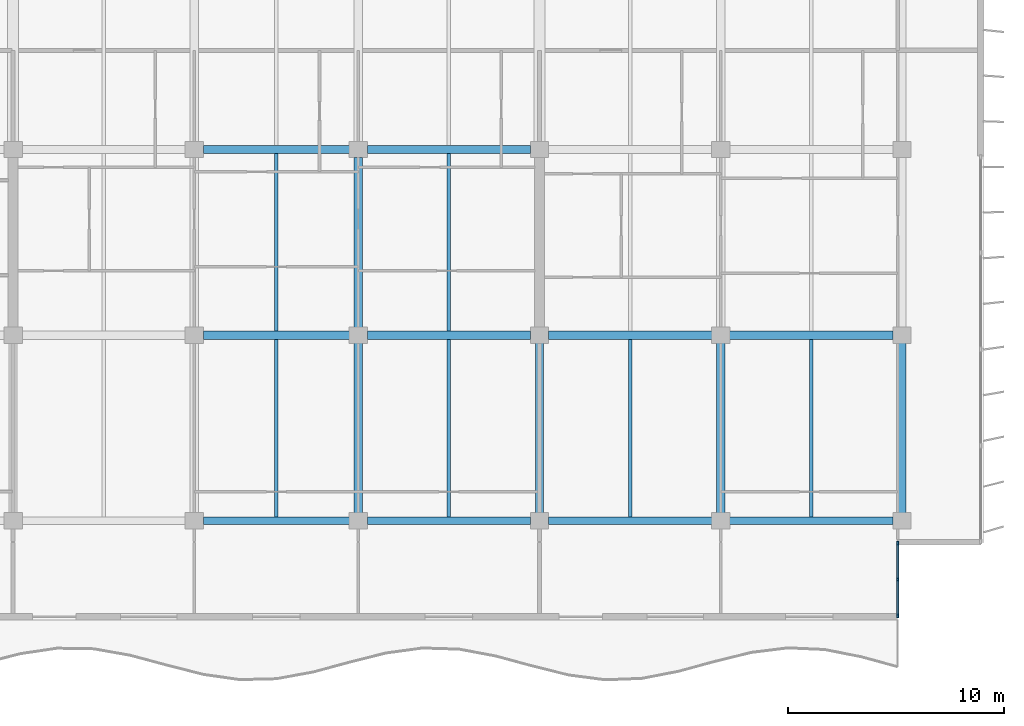
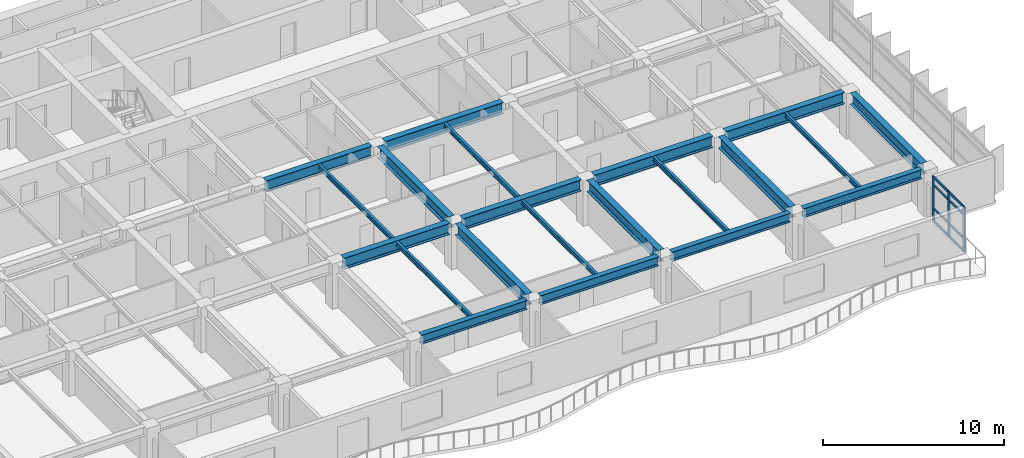
# One storey, part 3 of 16: 21 beams, 11 members, 1 element without a shape of its own.
"""IFC4 building model written with IfcOpenShell, lengths in metres."""

from ifc_helpers import new_model, si_unit, direction, frame, origin, origin_2d, place, context, subcontext, project, spatial, rectangle, i_section, extrude, material, layer, layer_set, material_profile, profile_set, type_object, element, aggregate, save


model = new_model("IFC4")

# Units and contexts
model_context = context("Model", 3, precision=1e-05, world=origin(), true_north=direction((0.0, 1.0)))
body_context = subcontext(model_context, "Body", "Model", "MODEL_VIEW")
ifc_project = project(units=[si_unit("LENGTHUNIT", "METRE"), si_unit("AREAUNIT", "SQUARE_METRE"), si_unit("VOLUMEUNIT", "CUBIC_METRE"), si_unit("PLANEANGLEUNIT", "RADIAN"), si_unit("MASSUNIT", "GRAM", prefix="KILO")], contexts=[model_context])

# Site, building, storey
site_placement = place(None, origin())
site = spatial("IfcSite", under=ifc_project, at=site_placement, CompositionType="ELEMENT")
building_placement = place(site_placement, origin())
building = spatial("IfcBuilding", under=site, at=building_placement, Name="Caelmar Bay Residences", CompositionType="ELEMENT")
storey_placement = place(building_placement, frame((0.0, 0.0, 211.5)))
storey = spatial("IfcBuildingStorey", under=building, at=storey_placement, Name="L59", CompositionType="ELEMENT", Elevation=211.5)

# Beams
ifc_material_1 = material(Name="Steel ASTM A992 Grade 50", Category="steel")
ifc_material_profile_1 = material_profile(ifc_material_1, i_section(OverallWidth=0.381103515625, OverallDepth=0.77197265625, WebThickness=0.0166015625, FlangeThickness=0.027099609375, FilletRadius=0.0166015625, at=origin_2d()), Name="W30X173")
ifc_profile_set_1 = profile_set([ifc_material_profile_1], Name="Steel ASTM A992 Grade 50")
beam_type_1 = type_object("IfcBeamType", Name="BM-GRD-W30X173", PredefinedType="BEAM", material=ifc_profile_set_1)
beam_1_placement = place(storey_placement, frame((35.514892578125, 20.800048828125, 2.6640625), z_axis=(1.0, 0.0, 0.0), x_axis=(0.0, 1.0, 0.0)))
element("IfcBeam", 1, at=beam_1_placement, inside=storey, type_object=beam_type_1, Name="L59 East-West Girder Y=20.80 (35.1-42.7)", PredefinedType="BEAM", context=body_context, shape_type="SweptSolid", body=[
    extrude(i_section(OverallWidth=0.381103515625, OverallDepth=0.77197265625, WebThickness=0.0166015625, FlangeThickness=0.027099609375, FilletRadius=0.0166015625, at=origin_2d()), origin(), (0.0, 0.0, 1.0), 6.77001953125),
])
for number, where, z_axis, x_axis, name in (
    (2, (43.114990234375, 20.800048828125, 2.6640625), (1.0, 0.0, 0.0), (0.0, 1.0, 0.0), "L59 East-West Girder Y=20.80 (42.7-51.1)"),
    (3, (51.514892578125, 20.800048828125, 2.6640625), (1.0, 0.0, 0.0), (0.0, 1.0, 0.0), "L59 East-West Girder Y=20.80 (51.1-59.5)"),
    (4, (59.9150390625, 20.800048828125, 2.6640625), (1.0, 0.0, 0.0), (0.0, 1.0, 0.0), "L59 East-West Girder Y=20.80 (59.5-67.9)"),
):
    element("IfcBeam", number, at=place(storey_placement, frame(where, z_axis=z_axis, x_axis=x_axis)), inside=storey, type_object=beam_type_1, Name=name, PredefinedType="BEAM", context=body_context, shape_type="SweptSolid", body=[
        extrude(i_section(OverallWidth=0.381103515625, OverallDepth=0.77197265625, WebThickness=0.0166015625, FlangeThickness=0.027099609375, FilletRadius=0.0166015625, at=origin_2d()), origin(), (0.0, 0.0, 1.0), 7.570068359375),
    ])
beam_2_placement = place(storey_placement, frame((35.514892578125, 29.39990234375, 2.6640625), z_axis=(1.0, 0.0, 0.0), x_axis=(0.0, 1.0, 0.0)))
element("IfcBeam", 5, at=beam_2_placement, inside=storey, type_object=beam_type_1, Name="L59 East-West Girder Y=29.40 (35.1-42.7)", PredefinedType="BEAM", context=body_context, shape_type="SweptSolid", body=[
    extrude(i_section(OverallWidth=0.381103515625, OverallDepth=0.77197265625, WebThickness=0.0166015625, FlangeThickness=0.027099609375, FilletRadius=0.0166015625, at=origin_2d()), origin(), (0.0, 0.0, 1.0), 6.77001953125),
])
beam_3_placement = place(storey_placement, frame((43.114990234375, 29.39990234375, 2.6640625), z_axis=(1.0, 0.0, 0.0), x_axis=(0.0, 1.0, 0.0)))
element("IfcBeam", 6, at=beam_3_placement, inside=storey, type_object=beam_type_1, Name="L59 East-West Girder Y=29.40 (42.7-51.1)", PredefinedType="BEAM", context=body_context, shape_type="SweptSolid", body=[
    extrude(i_section(OverallWidth=0.381103515625, OverallDepth=0.77197265625, WebThickness=0.0166015625, FlangeThickness=0.027099609375, FilletRadius=0.0166015625, at=origin_2d()), origin(), (0.0, 0.0, 1.0), 7.570068359375),
])
beam_4_placement = place(storey_placement, frame((42.699951171875, 12.56494140625, 2.6640625), z_axis=(0.0, 1.0, 0.0), x_axis=(-1.0, 0.0, 0.0)))
element("IfcBeam", 7, at=beam_4_placement, inside=storey, type_object=beam_type_1, Name="L59 North-South Girder X=42.70 (12.2-20.8)", PredefinedType="BEAM", context=body_context, shape_type="SweptSolid", body=[
    extrude(i_section(OverallWidth=0.381103515625, OverallDepth=0.77197265625, WebThickness=0.0166015625, FlangeThickness=0.027099609375, FilletRadius=0.0166015625, at=origin_2d()), origin(), (0.0, 0.0, 1.0), 7.8701171875),
])
beam_5_placement = place(storey_placement, frame((42.699951171875, 21.1650390625, 2.6640625), z_axis=(0.0, 1.0, 0.0), x_axis=(-1.0, 0.0, 0.0)))
element("IfcBeam", 8, at=beam_5_placement, inside=storey, type_object=beam_type_1, Name="L59 North-South Girder X=42.70 (20.8-29.4)", PredefinedType="BEAM", context=body_context, shape_type="SweptSolid", body=[
    extrude(i_section(OverallWidth=0.381103515625, OverallDepth=0.77197265625, WebThickness=0.0166015625, FlangeThickness=0.027099609375, FilletRadius=0.0166015625, at=origin_2d()), origin(), (0.0, 0.0, 1.0), 7.869873046875),
])
for number, where, z_axis, x_axis, name in (
    (9, (51.10009765625, 12.56494140625, 2.6640625), (0.0, 1.0, 0.0), (-1.0, 0.0, 0.0), "L59 North-South Girder X=51.10 (12.2-20.8)"),
    (10, (59.5, 12.56494140625, 2.6640625), (0.0, 1.0, 0.0), (-1.0, 0.0, 0.0), "L59 North-South Girder X=59.50 (12.2-20.8)"),
    (11, (67.89990234375, 12.56494140625, 2.6640625), (0.0, 1.0, 0.0), (-1.0, 0.0, 0.0), "L59 North-South Girder X=67.90 (12.2-20.8)"),
):
    element("IfcBeam", number, at=place(storey_placement, frame(where, z_axis=z_axis, x_axis=x_axis)), inside=storey, type_object=beam_type_1, Name=name, PredefinedType="BEAM", context=body_context, shape_type="SweptSolid", body=[
        extrude(i_section(OverallWidth=0.381103515625, OverallDepth=0.77197265625, WebThickness=0.0166015625, FlangeThickness=0.027099609375, FilletRadius=0.0166015625, at=origin_2d()), origin(), (0.0, 0.0, 1.0), 7.8701171875),
    ])
ifc_material_profile_2 = material_profile(ifc_material_1, i_section(OverallWidth=0.1650390625, OverallDepth=0.31005859375, WebThickness=0.005859375, FlangeThickness=0.009765625, FilletRadius=0.007568359375, at=origin_2d()), Name="W12X26")
ifc_profile_set_2 = profile_set([ifc_material_profile_2], Name="Steel ASTM A992 Grade 50")
beam_type_2 = type_object("IfcBeamType", Name="BM-JST-W12X26", PredefinedType="JOIST", material=ifc_profile_set_2)
for number, where, z_axis, x_axis, name in (
    (12, (38.89990234375, 12.362548828125, 2.89501953125), (0.0, 1.0, 0.0), (-1.0, 0.0, 0.0), "L59 Composite Floor Joist 4"),
    (13, (46.89990234375, 12.362548828125, 2.89501953125), (0.0, 1.0, 0.0), (-1.0, 0.0, 0.0), "L59 Composite Floor Joist 5"),
    (14, (55.300048828125, 12.362548828125, 2.89501953125), (0.0, 1.0, 0.0), (-1.0, 0.0, 0.0), "L59 Composite Floor Joist 6"),
    (15, (63.699951171875, 12.362548828125, 2.89501953125), (0.0, 1.0, 0.0), (-1.0, 0.0, 0.0), "L59 Composite Floor Joist 7"),
):
    element("IfcBeam", number, at=place(storey_placement, frame(where, z_axis=z_axis, x_axis=x_axis)), inside=storey, type_object=beam_type_2, Name=name, PredefinedType="JOIST", context=body_context, shape_type="SweptSolid", body=[
        extrude(i_section(OverallWidth=0.1650390625, OverallDepth=0.31005859375, WebThickness=0.005859375, FlangeThickness=0.009765625, FilletRadius=0.007568359375, at=origin_2d()), origin(), (0.0, 0.0, 1.0), 8.2470703125),
    ])
for number, where, z_axis, x_axis, name in (
    (16, (38.89990234375, 20.990478515625, 2.89501953125), (0.0, 1.0, 0.0), (-1.0, 0.0, 0.0), "L59 Composite Floor Joist 11"),
    (17, (46.89990234375, 20.990478515625, 2.89501953125), (0.0, 1.0, 0.0), (-1.0, 0.0, 0.0), "L59 Composite Floor Joist 12"),
):
    element("IfcBeam", number, at=place(storey_placement, frame(where, z_axis=z_axis, x_axis=x_axis)), inside=storey, type_object=beam_type_2, Name=name, PredefinedType="JOIST", context=body_context, shape_type="SweptSolid", body=[
        extrude(i_section(OverallWidth=0.1650390625, OverallDepth=0.31005859375, WebThickness=0.005859375, FlangeThickness=0.009765625, FilletRadius=0.007568359375, at=origin_2d()), origin(), (0.0, 0.0, 1.0), 8.218994140625),
    ])
ifc_material_profile_3 = material_profile(ifc_material_1, i_section(OverallWidth=0.324951171875, OverallDepth=0.616943359375, WebThickness=0.013916015625, FlangeThickness=0.021484375, FilletRadius=0.0126953125, at=origin_2d()), Name="W24X117")
ifc_profile_set_3 = profile_set([ifc_material_profile_3], Name="Steel ASTM A992 Grade 50")
beam_type_3 = type_object("IfcBeamType", Name="BM-SPN-W24X117", PredefinedType="SPANDREL", material=ifc_profile_set_3)
beam_6_placement = place(storey_placement, frame((35.514892578125, 12.199951171875, 2.741455078125), z_axis=(1.0, 0.0, 0.0), x_axis=(0.0, 1.0, 0.0)))
element("IfcBeam", 18, at=beam_6_placement, inside=storey, type_object=beam_type_3, Name="L59 East-West Girder Y=12.20 (35.1-42.7)", PredefinedType="SPANDREL", context=body_context, shape_type="SweptSolid", body=[
    extrude(i_section(OverallWidth=0.324951171875, OverallDepth=0.616943359375, WebThickness=0.013916015625, FlangeThickness=0.021484375, FilletRadius=0.0126953125, at=origin_2d()), origin(), (0.0, 0.0, 1.0), 6.77001953125),
])
for number, where, z_axis, x_axis, name in (
    (19, (43.114990234375, 12.199951171875, 2.741455078125), (1.0, 0.0, 0.0), (0.0, 1.0, 0.0), "L59 East-West Girder Y=12.20 (42.7-51.1)"),
    (20, (51.514892578125, 12.199951171875, 2.741455078125), (1.0, 0.0, 0.0), (0.0, 1.0, 0.0), "L59 East-West Girder Y=12.20 (51.1-59.5)"),
    (21, (59.9150390625, 12.199951171875, 2.741455078125), (1.0, 0.0, 0.0), (0.0, 1.0, 0.0), "L59 East-West Girder Y=12.20 (59.5-67.9)"),
):
    element("IfcBeam", number, at=place(storey_placement, frame(where, z_axis=z_axis, x_axis=x_axis)), inside=storey, type_object=beam_type_3, Name=name, PredefinedType="SPANDREL", context=body_context, shape_type="SweptSolid", body=[
        extrude(i_section(OverallWidth=0.324951171875, OverallDepth=0.616943359375, WebThickness=0.013916015625, FlangeThickness=0.021484375, FilletRadius=0.0126953125, at=origin_2d()), origin(), (0.0, 0.0, 1.0), 7.570068359375),
    ])

# Curtain wall, members
ifc_material_2 = material(Name="Anodised bronze aluminium 6063-T6 and laminated glass", Category="aluminium")
ifc_layer = layer(ifc_material_2, 0.179931640625)
ifc_layer_set = layer_set([ifc_layer], Name="Anodised bronze aluminium 6063-T6 and laminated glass")
curtain_wall_type = type_object("IfcCurtainWallType", Name="CW6-NTC", PredefinedType="NOTDEFINED", material=ifc_layer_set)
curtain_wall_placement = place(storey_placement, origin())
curtain_wall = element("IfcCurtainWall", 22, at=curtain_wall_placement, inside=storey, type_object=curtain_wall_type, Name="CW6 curtain wall L59", PredefinedType="NOTDEFINED")
ifc_material_3 = material(Name="Anodised bronze aluminium 6063-T6", Category="aluminium")
ifc_material_profile_4 = material_profile(ifc_material_3, rectangle(XDim=0.080078125, YDim=0.179931640625, at=origin_2d()), Name="CWM-80X180")
ifc_profile_set_4 = profile_set([ifc_material_profile_4], Name="Anodised bronze aluminium 6063-T6")
member_type_1 = type_object("IfcMemberType", Name="CWM-180", PredefinedType="MULLION", material=ifc_profile_set_4)
member_1_placement = place(storey_placement, frame((67.699951171875, 7.7900390625, 0.0), z_axis=(0.0, 0.0, 1.0), x_axis=(-1.0, 0.0, 0.0)))
member_1 = element("IfcMember", 23, at=member_1_placement, type_object=member_type_1, Name="CW6 mullion 1", PredefinedType="MULLION", context=body_context, shape_type="SweptSolid", body=[
    extrude(rectangle(XDim=0.080078125, YDim=0.179931640625, at=origin_2d()), origin(), (0.0, 0.0, 1.0), 3.050048828125),
])
member_2_placement = place(storey_placement, frame((67.699951171875, 9.47509765625, 0.0), z_axis=(0.0, 0.0, 1.0), x_axis=(-1.0, 0.0, 0.0)))
member_2 = element("IfcMember", 24, at=member_2_placement, type_object=member_type_1, Name="CW6 mullion 2", PredefinedType="MULLION", context=body_context, shape_type="SweptSolid", body=[
    extrude(rectangle(XDim=0.080078125, YDim=0.179931640625, at=origin_2d()), origin(), (0.0, 0.0, 1.0), 3.050048828125),
])
member_3_placement = place(storey_placement, frame((67.699951171875, 11.159912109375, 0.0), z_axis=(0.0, 0.0, 1.0), x_axis=(-1.0, 0.0, 0.0)))
member_3 = element("IfcMember", 25, at=member_3_placement, type_object=member_type_1, Name="CW6 mullion 3", PredefinedType="MULLION", context=body_context, shape_type="SweptSolid", body=[
    extrude(rectangle(XDim=0.080078125, YDim=0.179931640625, at=origin_2d()), origin(), (0.0, 0.0, 1.0), 3.050048828125),
])
ifc_material_profile_5 = material_profile(ifc_material_3, rectangle(XDim=0.080078125, YDim=0.139892578125, at=origin_2d()), Name="CWT-80X140")
ifc_profile_set_5 = profile_set([ifc_material_profile_5], Name="Anodised bronze aluminium 6063-T6")
member_type_2 = type_object("IfcMemberType", Name="CWT-140", PredefinedType="NOTDEFINED", material=ifc_profile_set_5)
member_4_placement = place(storey_placement, frame((67.699951171875, 7.830078125, 0.0400390625), z_axis=(0.0, 1.0, 0.0), x_axis=(-1.0, 0.0, 0.0)))
member_4 = element("IfcMember", 26, at=member_4_placement, type_object=member_type_2, Name="CW6 transom 1.1", ObjectType="TRANSOM", PredefinedType="USERDEFINED", context=body_context, shape_type="SweptSolid", body=[
    extrude(rectangle(XDim=0.080078125, YDim=0.139892578125, at=origin_2d()), origin(), (0.0, 0.0, 1.0), 1.60498046875),
])
member_5_placement = place(storey_placement, frame((67.699951171875, 7.830078125, 0.89990234375), z_axis=(0.0, 1.0, 0.0), x_axis=(-1.0, 0.0, 0.0)))
member_5 = element("IfcMember", 27, at=member_5_placement, type_object=member_type_2, Name="CW6 transom 1.2", ObjectType="TRANSOM", PredefinedType="USERDEFINED", context=body_context, shape_type="SweptSolid", body=[
    extrude(rectangle(XDim=0.080078125, YDim=0.139892578125, at=origin_2d()), origin(), (0.0, 0.0, 1.0), 1.60498046875),
])
member_6_placement = place(storey_placement, frame((67.699951171875, 7.830078125, 2.5), z_axis=(0.0, 1.0, 0.0), x_axis=(-1.0, 0.0, 0.0)))
member_6 = element("IfcMember", 28, at=member_6_placement, type_object=member_type_2, Name="CW6 transom 1.3", ObjectType="TRANSOM", PredefinedType="USERDEFINED", context=body_context, shape_type="SweptSolid", body=[
    extrude(rectangle(XDim=0.080078125, YDim=0.139892578125, at=origin_2d()), origin(), (0.0, 0.0, 1.0), 1.60498046875),
])
member_7_placement = place(storey_placement, frame((67.699951171875, 7.830078125, 3.010009765625), z_axis=(0.0, 1.0, 0.0), x_axis=(-1.0, 0.0, 0.0)))
member_7 = element("IfcMember", 29, at=member_7_placement, type_object=member_type_2, Name="CW6 transom 1.4", ObjectType="TRANSOM", PredefinedType="USERDEFINED", context=body_context, shape_type="SweptSolid", body=[
    extrude(rectangle(XDim=0.080078125, YDim=0.139892578125, at=origin_2d()), origin(), (0.0, 0.0, 1.0), 1.60498046875),
])
member_8_placement = place(storey_placement, frame((67.699951171875, 9.514892578125, 0.0400390625), z_axis=(0.0, 1.0, 0.0), x_axis=(-1.0, 0.0, 0.0)))
member_8 = element("IfcMember", 30, at=member_8_placement, type_object=member_type_2, Name="CW6 transom 2.1", ObjectType="TRANSOM", PredefinedType="USERDEFINED", context=body_context, shape_type="SweptSolid", body=[
    extrude(rectangle(XDim=0.080078125, YDim=0.139892578125, at=origin_2d()), origin(), (0.0, 0.0, 1.0), 1.605224609375),
])
member_9_placement = place(storey_placement, frame((67.699951171875, 9.514892578125, 0.89990234375), z_axis=(0.0, 1.0, 0.0), x_axis=(-1.0, 0.0, 0.0)))
member_9 = element("IfcMember", 31, at=member_9_placement, type_object=member_type_2, Name="CW6 transom 2.2", ObjectType="TRANSOM", PredefinedType="USERDEFINED", context=body_context, shape_type="SweptSolid", body=[
    extrude(rectangle(XDim=0.080078125, YDim=0.139892578125, at=origin_2d()), origin(), (0.0, 0.0, 1.0), 1.605224609375),
])
member_10_placement = place(storey_placement, frame((67.699951171875, 9.514892578125, 2.5), z_axis=(0.0, 1.0, 0.0), x_axis=(-1.0, 0.0, 0.0)))
member_10 = element("IfcMember", 32, at=member_10_placement, type_object=member_type_2, Name="CW6 transom 2.3", ObjectType="TRANSOM", PredefinedType="USERDEFINED", context=body_context, shape_type="SweptSolid", body=[
    extrude(rectangle(XDim=0.080078125, YDim=0.139892578125, at=origin_2d()), origin(), (0.0, 0.0, 1.0), 1.605224609375),
])
member_11_placement = place(storey_placement, frame((67.699951171875, 9.514892578125, 3.010009765625), z_axis=(0.0, 1.0, 0.0), x_axis=(-1.0, 0.0, 0.0)))
member_11 = element("IfcMember", 33, at=member_11_placement, type_object=member_type_2, Name="CW6 transom 2.4", ObjectType="TRANSOM", PredefinedType="USERDEFINED", context=body_context, shape_type="SweptSolid", body=[
    extrude(rectangle(XDim=0.080078125, YDim=0.139892578125, at=origin_2d()), origin(), (0.0, 0.0, 1.0), 1.605224609375),
])
aggregate(curtain_wall, [member_1, member_2, member_3, member_4, member_5, member_6, member_7, member_8, member_9, member_10, member_11])

save(model, "model.ifc")
